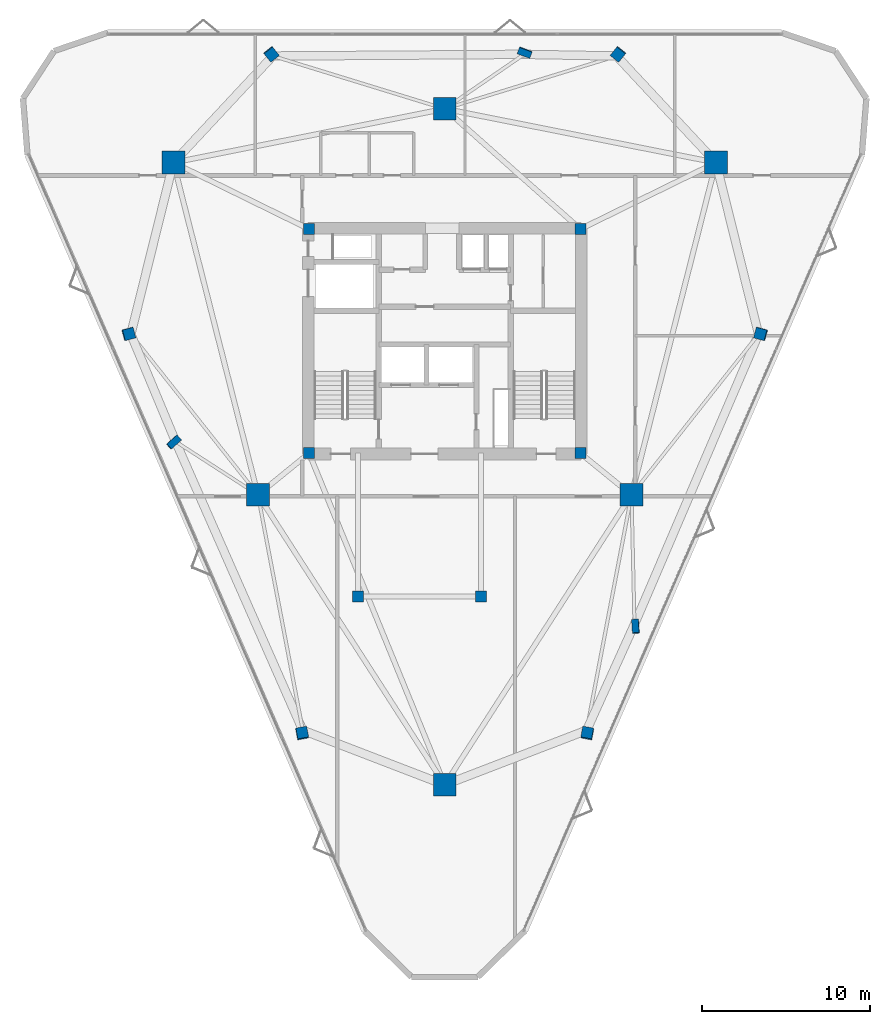
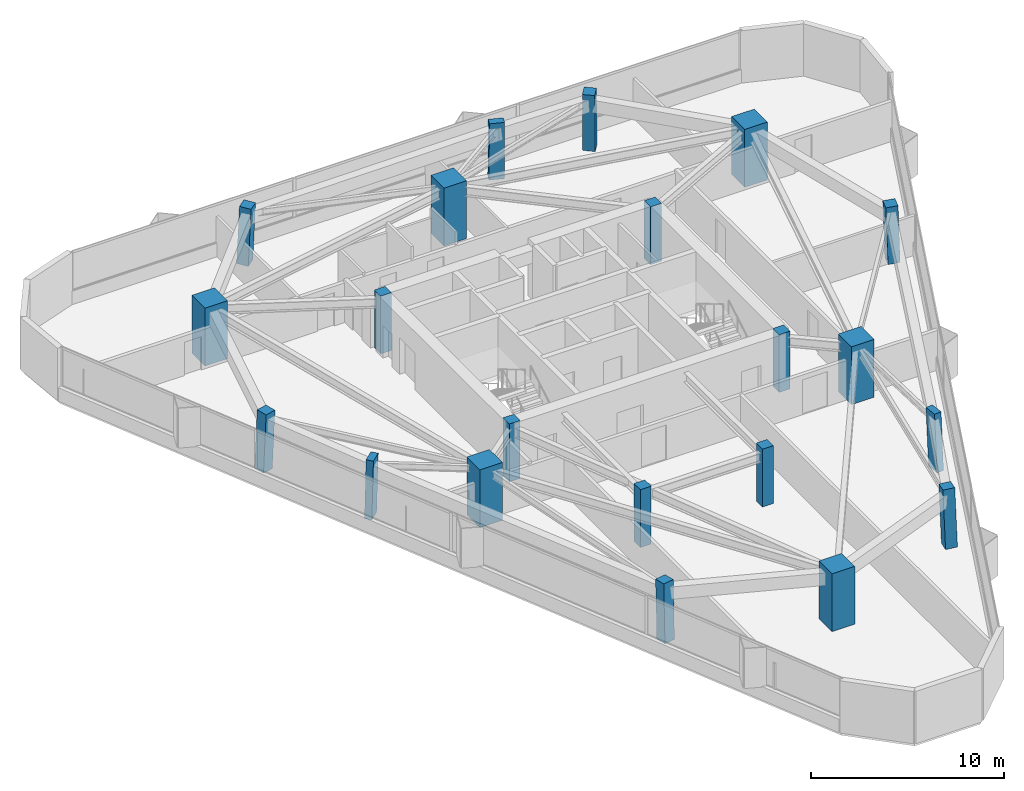
# One storey, part 1 of 12: 21 columns.
"""IFC4 building model written with IfcOpenShell, lengths in metres."""

from ifc_helpers import new_model, si_unit, direction, frame, origin, origin_2d, place, context, subcontext, project, spatial, rectangle, extrude, material, material_profile, profile_set, type_object, element, save


model = new_model("IFC4")

# Units and contexts
model_context = context("Model", 3, precision=1e-05, world=origin(), true_north=direction((0.0, 1.0)))
body_context = subcontext(model_context, "Body", "Model", "MODEL_VIEW")
ifc_project = project(units=[si_unit("LENGTHUNIT", "METRE"), si_unit("AREAUNIT", "SQUARE_METRE"), si_unit("VOLUMEUNIT", "CUBIC_METRE"), si_unit("PLANEANGLEUNIT", "RADIAN"), si_unit("MASSUNIT", "GRAM", prefix="KILO")], contexts=[model_context])

# Site, building, storey
site_placement = place(None, origin())
site = spatial("IfcSite", under=ifc_project, at=site_placement, CompositionType="ELEMENT")
building_placement = place(site_placement, origin())
building = spatial("IfcBuilding", under=site, at=building_placement, Name="Talyreon Biosciences Tower", CompositionType="ELEMENT")
storey_placement = place(building_placement, frame((0.0, 0.0, 219.550048828125)))
storey = spatial("IfcBuildingStorey", under=building, at=storey_placement, Name="L58", CompositionType="ELEMENT", Elevation=219.550048828125)

# Columns
ifc_material_1 = material(Name="Precast concrete C45/55", Category="concrete")
ifc_material_profile_1 = material_profile(ifc_material_1, rectangle(XDim=0.800048828125, YDim=0.39990234375, at=origin_2d()), Name="RC 800x400")
ifc_profile_set_1 = profile_set([ifc_material_profile_1], Name="Precast concrete C45/55")
column_type_1 = type_object("IfcColumnType", Name="FacadePilaster_800x400", PredefinedType="PILASTER", material=ifc_profile_set_1)
column_1_placement = place(storey_placement, frame((77.3349609375, 51.05517578125, 0.0029296875), z_axis=(-0.019612004119, 0.038286915892, 0.999074312234), x_axis=(0.063313323483, -0.99721334414, 0.039458450799)))
element("IfcColumn", 1, at=column_1_placement, inside=storey, type_object=column_type_1, Name="L58 Facade Pilaster PL-SE", PredefinedType="PILASTER", context=body_context, shape_type="SweptSolid", body=[
    extrude(rectangle(XDim=0.800048828125, YDim=0.39990234375, at=origin_2d()), origin(), (0.0, 0.0, 1.0), 3.6474609375),
])
column_2_placement = place(storey_placement, frame((70.7548828125, 85.14599609375, 0.0029296875), z_axis=(-0.012453496874, -0.033544096418, 0.99935964698), x_axis=(-0.937477612418, 0.348045580658, 0.0)))
element("IfcColumn", 2, at=column_2_placement, inside=storey, type_object=column_type_1, Name="L58 Facade Pilaster PL-N", PredefinedType="PILASTER", context=body_context, shape_type="SweptSolid", body=[
    extrude(rectangle(XDim=0.800048828125, YDim=0.39990234375, at=origin_2d()), origin(), (0.0, 0.0, 1.0), 3.646484375),
])
column_3_placement = place(storey_placement, frame((49.91015625, 62.00537109375, 0.0029296875), z_axis=(0.032006476949, 0.010512587617, 0.999432374368), x_axis=(0.74667894473, 0.664466446982, -0.030901364582)))
element("IfcColumn", 3, at=column_3_placement, inside=storey, type_object=column_type_1, Name="L58 Facade Pilaster PL-SW", PredefinedType="PILASTER", context=body_context, shape_type="SweptSolid", body=[
    extrude(rectangle(XDim=0.800048828125, YDim=0.39990234375, at=origin_2d()), origin(), (0.0, 0.0, 1.0), 3.64599609375),
])
ifc_material_2 = material(Name="Concrete C50/60", Category="concrete")
ifc_material_profile_2 = material_profile(ifc_material_2, rectangle(XDim=1.35009765625, YDim=1.35009765625, at=origin_2d()), Name="RC 1350x1350")
ifc_profile_set_2 = profile_set([ifc_material_profile_2], Name="Concrete C50/60")
column_type_2 = type_object("IfcColumnType", Name="MegaColumn_1350", PredefinedType="COLUMN", material=ifc_profile_set_2)
for number, where, z_axis, x_axis, name in (
    (4, (66.0, 41.6669921875, 0.0), (0.0, 0.0, 1.0), (1.0, 0.0, 0.0), "L58 Composite Mega-Column MC1"),
    (5, (82.102294921875, 78.5986328125, 0.0), (0.0, 0.0, 1.0), (1.0, 0.0, 0.0), "L58 Composite Mega-Column MC2"),
    (6, (49.897705078125, 78.5986328125, 0.0), (0.0, 0.0, 1.0), (1.0, 0.0, 0.0), "L58 Composite Mega-Column MC3"),
    (7, (77.086181640625, 58.88037109375, 0.0), (0.0, 0.0, 1.0), (1.0, 0.0, 0.0), "L58 Composite Mega-Column MC4"),
    (8, (66.0, 81.788818359375, 0.0), (0.0, 0.0, 1.0), (1.0, 0.0, 0.0), "L58 Composite Mega-Column MC5"),
    (9, (54.913818359375, 58.88037109375, 0.0), (0.0, 0.0, 1.0), (1.0, 0.0, 0.0), "L58 Composite Mega-Column MC6"),
):
    element("IfcColumn", number, at=place(storey_placement, frame(where, z_axis=z_axis, x_axis=x_axis)), inside=storey, type_object=column_type_2, Name=name, PredefinedType="COLUMN", context=body_context, shape_type="SweptSolid", body=[
        extrude(rectangle(XDim=1.35009765625, YDim=1.35009765625, at=origin_2d()), origin(), (0.0, 0.0, 1.0), 3.64990234375),
    ])
ifc_material_profile_3 = material_profile(ifc_material_2, rectangle(XDim=0.64990234375, YDim=0.64990234375, at=origin_2d()), Name="RC 650x650")
ifc_profile_set_3 = profile_set([ifc_material_profile_3], Name="Concrete C50/60")
column_type_3 = type_object("IfcColumnType", Name="PerimeterColumn_650", PredefinedType="COLUMN", material=ifc_profile_set_3)
for number, where, z_axis, x_axis, name in (
    (10, (57.949951171875, 61.35009765625, 0.0), (0.0, 0.0, 1.0), (1.0, 0.0, 0.0), "L58 Core Column CC1"),
    (11, (74.050048828125, 61.35009765625, 0.0), (0.0, 0.0, 1.0), (1.0, 0.0, 0.0), "L58 Core Column CC2"),
    (12, (74.050048828125, 74.64990234375, 0.0), (0.0, 0.0, 1.0), (1.0, 0.0, 0.0), "L58 Core Column CC3"),
    (13, (57.949951171875, 74.64990234375, 0.0), (0.0, 0.0, 1.0), (1.0, 0.0, 0.0), "L58 Core Column CC4"),
    (14, (60.85009765625, 52.840087890625, 0.0), (0.0, 0.0, 1.0), (1.0, 0.0, 0.0), "L58 Core Column CSW"),
    (15, (68.14990234375, 52.840087890625, 0.0), (0.0, 0.0, 1.0), (1.0, 0.0, 0.0), "L58 Core Column CSE"),
):
    element("IfcColumn", number, at=place(storey_placement, frame(where, z_axis=z_axis, x_axis=x_axis)), inside=storey, type_object=column_type_3, Name=name, PredefinedType="COLUMN", context=body_context, shape_type="SweptSolid", body=[
        extrude(rectangle(XDim=0.64990234375, YDim=0.64990234375, at=origin_2d()), origin(), (0.0, 0.0, 1.0), 3.64990234375),
    ])
column_4_placement = place(storey_placement, frame((74.4697265625, 44.707275390625, 0.0029296875), z_axis=(-0.012375096162, 0.054517315524, 0.998436136818), x_axis=(-0.185674208018, -0.981272425797, 0.051278795293)))
element("IfcColumn", 16, at=column_4_placement, inside=storey, type_object=column_type_3, Name="L58 Tapering Perimeter Column PC-SE1", PredefinedType="COLUMN", context=body_context, shape_type="SweptSolid", body=[
    extrude(rectangle(XDim=0.64990234375, YDim=0.64990234375, at=origin_2d()), origin(), (0.0, 0.0, 1.0), 3.649658203125),
])
column_5_placement = place(storey_placement, frame((84.771728515625, 68.432861328125, 0.0029296875), z_axis=(-0.039229493406, -0.00569028488, 0.999214024874), x_axis=(0.964221790731, -0.262591446075, 0.03636029053)))
element("IfcColumn", 17, at=column_5_placement, inside=storey, type_object=column_type_3, Name="L58 Tapering Perimeter Column PC-SE2", PredefinedType="COLUMN", context=body_context, shape_type="SweptSolid", body=[
    extrude(rectangle(XDim=0.64990234375, YDim=0.64990234375, at=origin_2d()), origin(), (0.0, 0.0, 1.0), 3.64697265625),
])
for number, where, z_axis, x_axis, name in (
    (18, (76.302001953125, 85.046142578125, 0.0029296875), (-0.026841076243, -0.033534611465, 0.999077067328), (-0.780716755404, 0.624885067698, 0.0), "L58 Tapering Perimeter Column PC-N1"),
    (19, (55.697998046875, 85.046142578125, 0.0029296875), (0.026841076243, -0.033534611465, 0.999077067328), (-0.780716755404, -0.624885067698, 0.0), "L58 Tapering Perimeter Column PC-N2"),
):
    element("IfcColumn", number, at=place(storey_placement, frame(where, z_axis=z_axis, x_axis=x_axis)), inside=storey, type_object=column_type_3, Name=name, PredefinedType="COLUMN", context=body_context, shape_type="SweptSolid", body=[
        extrude(rectangle(XDim=0.64990234375, YDim=0.64990234375, at=origin_2d()), origin(), (0.0, 0.0, 1.0), 3.6474609375),
    ])
column_6_placement = place(storey_placement, frame((47.228271484375, 68.432861328125, 0.0029296875), z_axis=(0.039229493406, -0.00569028488, 0.999214024874), x_axis=(0.964221790731, 0.262591446075, -0.03636029053)))
element("IfcColumn", 20, at=column_6_placement, inside=storey, type_object=column_type_3, Name="L58 Tapering Perimeter Column PC-SW1", PredefinedType="COLUMN", context=body_context, shape_type="SweptSolid", body=[
    extrude(rectangle(XDim=0.64990234375, YDim=0.64990234375, at=origin_2d()), origin(), (0.0, 0.0, 1.0), 3.64697265625),
])
column_7_placement = place(storey_placement, frame((57.5302734375, 44.707275390625, 0.0029296875), z_axis=(0.012375096162, 0.054517315524, 0.998436136818), x_axis=(-0.185674208018, 0.981272425797, -0.051278795293)))
element("IfcColumn", 21, at=column_7_placement, inside=storey, type_object=column_type_3, Name="L58 Tapering Perimeter Column PC-SW2", PredefinedType="COLUMN", context=body_context, shape_type="SweptSolid", body=[
    extrude(rectangle(XDim=0.64990234375, YDim=0.64990234375, at=origin_2d()), origin(), (0.0, 0.0, 1.0), 3.649658203125),
])

save(model, "model.ifc")
